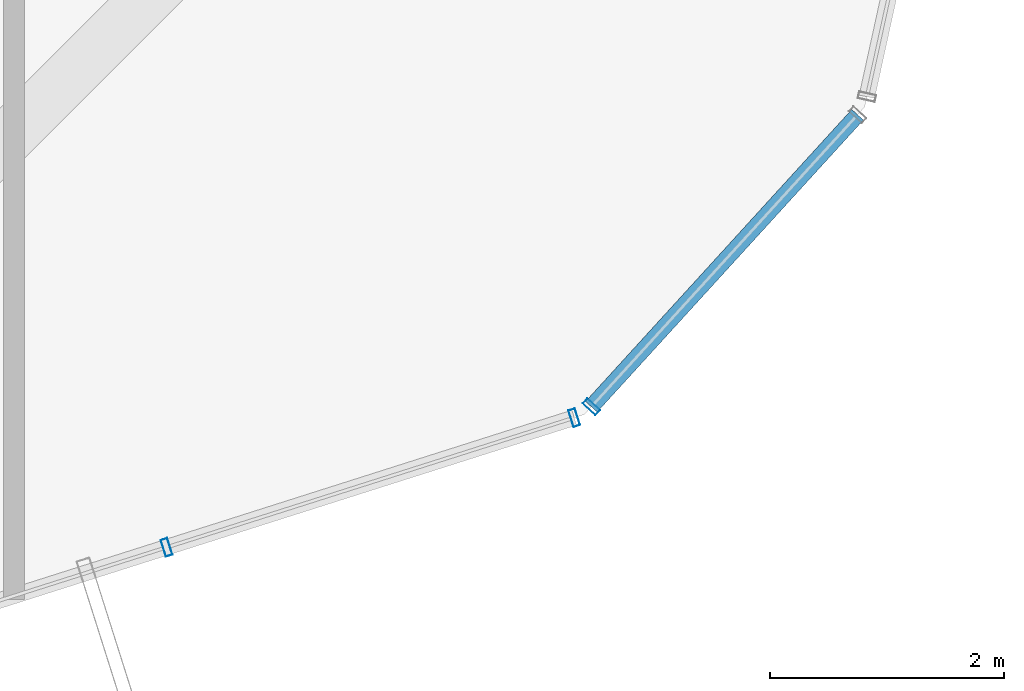
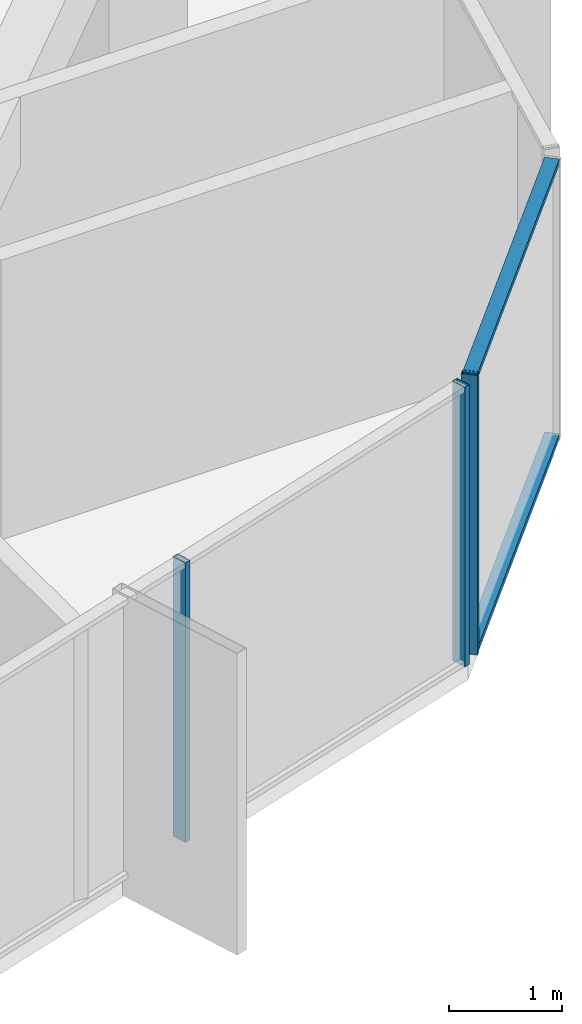
# One storey, part 9 of 28: 5 members, 2 elements without a shape of their own.
"""IFC4 building model written with IfcOpenShell, lengths in metres."""

from ifc_helpers import new_model, si_unit, direction, frame, origin, origin_2d, place, context, subcontext, project, spatial, hollow_rectangle, extrude, source, transform, mapped, material, layer, layer_set, material_profile, profile_set, type_object, element, aggregate, save


model = new_model("IFC4")

# Units and contexts
model_context = context("Model", 3, precision=1e-05, world=origin(), true_north=direction((0.0, 1.0)))
body_context = subcontext(model_context, "Body", "Model", "MODEL_VIEW")
ifc_project = project(units=[si_unit("LENGTHUNIT", "METRE"), si_unit("AREAUNIT", "SQUARE_METRE"), si_unit("VOLUMEUNIT", "CUBIC_METRE"), si_unit("PLANEANGLEUNIT", "RADIAN"), si_unit("MASSUNIT", "GRAM", prefix="KILO")], contexts=[model_context])

# Site, building, storey
site_placement = place(None, origin())
site = spatial("IfcSite", under=ifc_project, at=site_placement, CompositionType="ELEMENT")
building_placement = place(site_placement, origin())
building = spatial("IfcBuilding", under=site, at=building_placement, Name="Veraguas Prism Commons", CompositionType="ELEMENT")
storey_placement = place(building_placement, frame((0.0, 0.0, 251.25)))
storey = spatial("IfcBuildingStorey", under=building, at=storey_placement, Name="L71", CompositionType="ELEMENT", Elevation=251.25)

# Curtain wall, members
ifc_material = material(Name="Anodised aluminium EN AW-6063 T6", Category="aluminium")
ifc_layer = layer(ifc_material, 0.14990234375, Name="Unitised Flush Curtain Wall Zone 4", Category="aluminium")
ifc_layer_set = layer_set([ifc_layer], Name="Anodised aluminium EN AW-6063 T6")
curtain_wall_type = type_object("IfcCurtainWallType", Name="Unitised Flush Curtain Wall Zone 4", PredefinedType="NOTDEFINED", material=ifc_layer_set)
curtain_wall_1_placement = place(storey_placement, origin())
curtain_wall_1 = element("IfcCurtainWall", 1, at=curtain_wall_1_placement, inside=storey, type_object=curtain_wall_type, Name="Tower Facade Curtain Wall L71-F5", PredefinedType="NOTDEFINED")
ifc_material_profile_1 = material_profile(ifc_material, hollow_rectangle(XDim=0.06005859375, YDim=0.14990234375, WallThickness=0.0029296875, at=origin_2d()), Name="AL60X150X3")
ifc_profile_set_1 = profile_set([ifc_material_profile_1], Name="Anodised aluminium EN AW-6063 T6")
member_type_1 = type_object("IfcMemberType", Name="Curtain Wall Mullion Upper AL 60x150x3", PredefinedType="MULLION", material=ifc_profile_set_1)
shared_shape_1 = source(origin(), body_context, "Body", "SweptSolid", [
    extrude(hollow_rectangle(XDim=0.06005859375, YDim=0.14990234375, WallThickness=0.0029296875, at=origin_2d()), origin(), (0.0, 0.0, 1.0), 3.014892578125),
])
member_1_placement = place(storey_placement, frame((32.50439453125, 9.43798828125, 0.0), z_axis=(0.0, 0.0, 1.0), x_axis=(0.952979870412, 0.30303360637, 0.0)))
member_1 = element("IfcMember", 2, at=member_1_placement, type_object=member_type_1, Name="CW-Z4 Mullion 4", PredefinedType="MULLION", context=body_context, shape_type="MappedRepresentation", body=[
    mapped(shared_shape_1, transform((0.0, 0.0, 0.0), scale=1.0)),
])
member_2_placement = place(storey_placement, frame((35.99365234375, 10.547607421875, 0.0), z_axis=(0.0, 0.0, 1.0), x_axis=(0.952979870412, 0.30303360637, 0.0)))
member_2 = element("IfcMember", 3, at=member_2_placement, type_object=member_type_1, Name="CW-Z4 Mullion 5", PredefinedType="MULLION", context=body_context, shape_type="MappedRepresentation", body=[
    mapped(shared_shape_1, transform((0.0, 0.0, 0.0), scale=1.0)),
])
aggregate(curtain_wall_1, [member_1, member_2])

curtain_wall_2_placement = place(storey_placement, origin())
curtain_wall_2 = element("IfcCurtainWall", 4, at=curtain_wall_2_placement, inside=storey, type_object=curtain_wall_type, Name="Chamfer Curtain Wall L71-C6", PredefinedType="NOTDEFINED")
member_3_placement = place(storey_placement, frame((36.14013671875, 10.641357421875, 0.0), z_axis=(0.0, 0.0, 1.0), x_axis=(0.673794422196, 0.738918856585, 0.0)))
member_3 = element("IfcMember", 5, at=member_3_placement, type_object=member_type_1, Name="CW-Z4 Mullion 1", PredefinedType="MULLION", context=body_context, shape_type="MappedRepresentation", body=[
    mapped(shared_shape_1, transform((0.0, 0.0, 0.0), scale=1.0)),
])
ifc_material_profile_2 = material_profile(ifc_material, hollow_rectangle(XDim=0.054931640625, YDim=0.135009765625, WallThickness=0.0029296875, at=origin_2d()), Name="AL55X135X3")
ifc_profile_set_2 = profile_set([ifc_material_profile_2], Name="Anodised aluminium EN AW-6063 T6")
member_type_2 = type_object("IfcMemberType", Name="Curtain Wall Transom Standard AL 55x135x3", PredefinedType="USERDEFINED", material=ifc_profile_set_2)
shared_shape_2 = source(origin(), body_context, "Body", "SweptSolid", [
    extrude(hollow_rectangle(XDim=0.054931640625, YDim=0.135009765625, WallThickness=0.0029296875, at=origin_2d()), origin(), (0.0, 0.0, 1.0), 3.38232421875),
])
member_4_placement = place(storey_placement, frame((36.14013671875, 10.641357421875, 0.027587890625), z_axis=(0.673803703906, 0.73891039281, 0.0), x_axis=(0.0, 0.0, 1.0)))
member_4 = element("IfcMember", 6, at=member_4_placement, type_object=member_type_2, Name="CW-Z4 Transom 1", ObjectType="TRANSOM", PredefinedType="USERDEFINED", context=body_context, shape_type="MappedRepresentation", body=[
    mapped(shared_shape_2, transform((0.0, 0.0, 0.0), scale=1.0)),
])
member_5_placement = place(storey_placement, frame((36.14013671875, 10.641357421875, 2.987548828125), z_axis=(0.673803703906, 0.73891039281, 0.0), x_axis=(0.0, 0.0, 1.0)))
member_5 = element("IfcMember", 7, at=member_5_placement, type_object=member_type_2, Name="CW-Z4 Transom 2", ObjectType="TRANSOM", PredefinedType="USERDEFINED", context=body_context, shape_type="MappedRepresentation", body=[
    mapped(shared_shape_2, transform((0.0, 0.0, 0.0), scale=1.0)),
])
aggregate(curtain_wall_2, [member_3, member_4, member_5])

save(model, "model.ifc")
